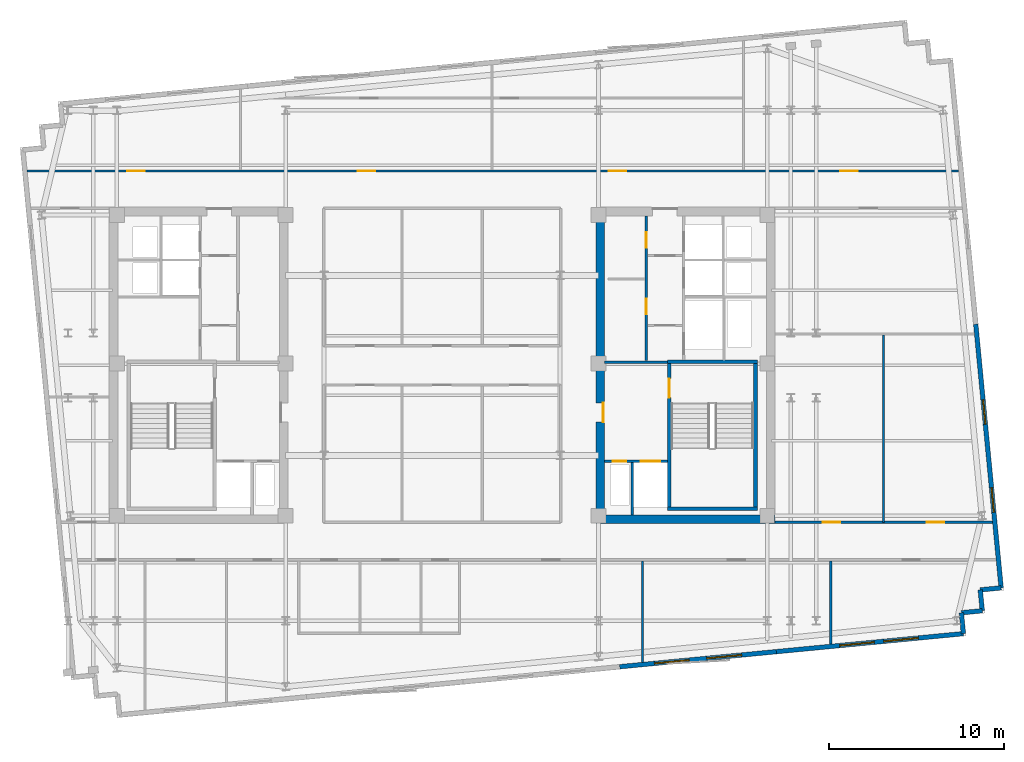
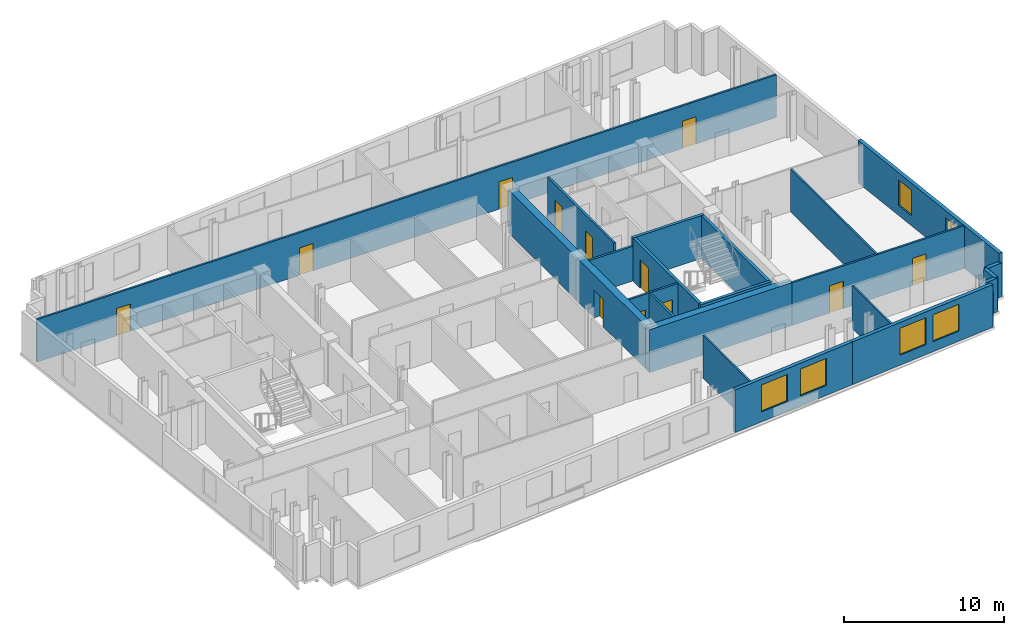
# One storey, part 5 of 9: 22 walls, 12 doors, 6 windows, 18 openings.
"""IFC4 building model written with IfcOpenShell, lengths in metres."""

from ifc_helpers import new_model, si_unit, direction, frame, frame_2d, origin, place, context, subcontext, project, spatial, rectangle, extrude, material, layer, layer_set, type_object, element, fill, save


model = new_model("IFC4")

# Units and contexts
model_context = context("Model", 3, precision=1e-05, world=origin(), true_north=direction((0.0, 1.0)))
body_context = subcontext(model_context, "Body", "Model", "MODEL_VIEW")
ifc_project = project(units=[si_unit("LENGTHUNIT", "METRE"), si_unit("AREAUNIT", "SQUARE_METRE"), si_unit("VOLUMEUNIT", "CUBIC_METRE"), si_unit("PLANEANGLEUNIT", "RADIAN"), si_unit("MASSUNIT", "GRAM", prefix="KILO")], contexts=[model_context])

# Site, building, storey
site_placement = place(None, origin())
site = spatial("IfcSite", under=ifc_project, at=site_placement, CompositionType="ELEMENT")
building_placement = place(site_placement, origin())
building = spatial("IfcBuilding", under=site, at=building_placement, Name="Velakula Bourse", CompositionType="ELEMENT")
storey_placement = place(building_placement, frame((0.0, 0.0, 275.85009765625)))
storey = spatial("IfcBuildingStorey", under=building, at=storey_placement, Name="L75", CompositionType="ELEMENT", Elevation=275.85009765625)

# Wall, opening, door
ifc_material_1 = material(Name="Concrete M50 (fck 50 MPa)", Category="concrete")
ifc_layer_1 = layer(ifc_material_1, 0.2099609375, Name="Concrete M50 (fck 50 MPa)", Category="concrete")
ifc_layer_set_1 = layer_set([ifc_layer_1], Name="Concrete M50 (fck 50 MPa)")
wall_type_1 = type_object("IfcWallType", Name="WL-CORE-210", PredefinedType="SHEAR", material=ifc_layer_set_1)
wall_1_placement = place(storey_placement, frame((12.9951171875, -8.10009765625, 0.0), z_axis=(0.0, 0.0, 1.0), x_axis=(0.0, 1.0, 0.0)))
wall_1 = element("IfcWall", 1, at=wall_1_placement, inside=storey, type_object=wall_type_1, Name="L75 Core E Stairwell Shear Wall IN", PredefinedType="SHEAR", context=body_context, shape_type="SweptSolid", body=[
    extrude(rectangle(XDim=8.2001953125, YDim=0.2099609375, at=frame_2d((4.10009765625, 0.0))), origin(), (0.0, 0.0, 1.0), 3.27001953125),
])
opening_1_placement = place(wall_1_placement, frame((6.25, 0.0, 0.0)))
opening_1 = element("IfcOpeningElement", 2, at=opening_1_placement, cuts=wall_1, Name="Opening D-STE1", PredefinedType="OPENING", context=body_context, shape_type="SweptSolid", body=[
    extrude(rectangle(XDim=1.10009765625, YDim=2.14990234375, at=frame_2d((0.550048828125, 1.074951171875))), frame((0.0, 0.114990234375, 0.0), z_axis=(0.0, -1.0, 0.0), x_axis=(1.0, 0.0, 0.0)), (0.0, 0.0, 1.0), 0.22998046875),
])
ifc_material_2 = material(Name="Galvanised painted hollow steel fire door", Category="steel")
door_type_1 = type_object("IfcDoorType", Name="DR-FD120-1100x2150", OperationType="NOTDEFINED", PredefinedType="DOOR", material=ifc_material_2)
door_1_placement = place(opening_1_placement, origin())
door_1 = element("IfcDoor", 3, at=door_1_placement, inside=storey, type_object=door_type_1, Name="L75 Stair ST-E1 Fire Door", OperationType="SINGLE_SWING_RIGHT", OverallHeight=2.14990234375, OverallWidth=1.10009765625, PredefinedType="DOOR", context=body_context, shape_type="SweptSolid", body=[
    extrude(rectangle(XDim=1.10009765625, YDim=2.14990234375, at=frame_2d((0.550048828125, 1.074951171875))), frame((0.0, 0.02490234375, 0.0), z_axis=(0.0, -1.0, 0.0), x_axis=(1.0, 0.0, 0.0)), (0.0, 0.0, 1.0), 0.050048828125),
])
fill(opening_1, door_1)

# Walls
wall_2_placement = place(storey_placement, frame((17.925048828125, -8.10009765625, 0.0), z_axis=(0.0, 0.0, 1.0), x_axis=(0.0, 1.0, 0.0)))
element("IfcWall", 4, at=wall_2_placement, inside=storey, type_object=wall_type_1, Name="L75 Core E Stairwell Shear Wall OUT", PredefinedType="SHEAR", context=body_context, shape_type="SweptSolid", body=[
    extrude(rectangle(XDim=8.2001953125, YDim=0.2099609375, at=frame_2d((4.10009765625, 0.0))), origin(), (0.0, 0.0, 1.0), 3.27001953125),
])
for number, where, z_axis, x_axis, name in (
    (5, (12.889892578125, -8.205078125, 0.0), (0.0, 0.0, 1.0), (1.0, 0.0, 0.0), "L75 Core E Stairwell Shear Wall S"),
    (6, (18.030029296875, 0.205078125, 0.0), (0.0, 0.0, 1.0), (-1.0, 0.0, 0.0), "L75 Core E Stairwell Shear Wall N"),
):
    element("IfcWall", number, at=place(storey_placement, frame(where, z_axis=z_axis, x_axis=x_axis)), inside=storey, type_object=wall_type_1, Name=name, PredefinedType="SHEAR", context=body_context, shape_type="SweptSolid", body=[
        extrude(rectangle(XDim=5.14013671875, YDim=0.2099609375, at=frame_2d((2.570068359375, 0.0))), origin(), (0.0, 0.0, 1.0), 3.27001953125),
    ])
ifc_layer_2 = layer(ifc_material_1, 0.5, Name="Concrete M50 (fck 50 MPa)", Category="concrete")
ifc_layer_set_2 = layer_set([ifc_layer_2], Name="Concrete M50 (fck 50 MPa)")
wall_type_2 = type_object("IfcWallType", Name="WL-CORE-500", PredefinedType="SHEAR", material=ifc_layer_set_2)
wall_3_placement = place(storey_placement, frame((8.800048828125, -8.800048828125, 0.0), z_axis=(0.0, 0.0, 1.0), x_axis=(1.0, 0.0, 0.0)))
element("IfcWall", 7, at=wall_3_placement, inside=storey, type_object=wall_type_2, Name="L75 Core E Shear Wall S", PredefinedType="SHEAR", context=body_context, shape_type="SweptSolid", body=[
    extrude(rectangle(XDim=10.25, YDim=0.5, at=frame_2d((5.125, 0.0))), origin(), (0.0, 0.0, 1.0), 3.27001953125),
])

# Wall, opening, door
wall_4_placement = place(storey_placement, frame((9.050048828125, -8.550048828125, 0.0), z_axis=(0.0, 0.0, 1.0), x_axis=(0.0, 1.0, 0.0)))
wall_4 = element("IfcWall", 8, at=wall_4_placement, inside=storey, type_object=wall_type_2, Name="L75 Core E Shear Wall W", PredefinedType="SHEAR", context=body_context, shape_type="SweptSolid", body=[
    extrude(rectangle(XDim=17.10009765625, YDim=0.5, at=frame_2d((8.550048828125, 0.0))), origin(), (0.0, 0.0, 1.0), 3.27001953125),
])
opening_2_placement = place(wall_4_placement, frame((5.300048828125, 0.0, 0.0)))
opening_2 = element("IfcOpeningElement", 9, at=opening_2_placement, cuts=wall_4, Name="Opening D-FLE", PredefinedType="OPENING", context=body_context, shape_type="SweptSolid", body=[
    extrude(rectangle(XDim=1.10009765625, YDim=2.080078125, at=frame_2d((0.550048828125, 1.0400390625))), frame((0.0, 0.260009765625, 0.0), z_axis=(0.0, -1.0, 0.0), x_axis=(1.0, 0.0, 0.0)), (0.0, 0.0, 1.0), 0.52001953125),
])
door_type_2 = type_object("IfcDoorType", Name="DR-FD120-1100", OperationType="NOTDEFINED", PredefinedType="DOOR", material=ifc_material_2)
door_2_placement = place(opening_2_placement, origin())
door_2 = element("IfcDoor", 10, at=door_2_placement, inside=storey, type_object=door_type_2, Name="L75 Firefighting Lobby E Corridor Fire Door", OperationType="SINGLE_SWING_RIGHT", OverallHeight=2.080078125, OverallWidth=1.10009765625, PredefinedType="DOOR", context=body_context, shape_type="SweptSolid", body=[
    extrude(rectangle(XDim=1.10009765625, YDim=2.080078125, at=frame_2d((0.550048828125, 1.0400390625))), frame((0.0, -0.15478515625, 0.0), z_axis=(0.0, -1.0, 0.0), x_axis=(1.0, 0.0, 0.0)), (0.0, 0.0, 1.0), 0.050048828125),
])
fill(opening_2, door_2)

# Wall, openings, windows
ifc_material_3 = material(Name="Buff kilned clay facing brick masonry", Category="masonry")
ifc_layer_3 = layer(ifc_material_3, 0.260009765625, Name="Buff kilned clay facing brick masonry", Category="masonry")
ifc_layer_set_3 = layer_set([ifc_layer_3], Name="Buff kilned clay facing brick masonry")
wall_type_3 = type_object("IfcWallType", Name="WL-EXT-BRK-260", PredefinedType="STANDARD", material=ifc_layer_set_3)
wall_5_placement = place(storey_placement, frame((19.119873046875, -16.375244140625, 0.0), z_axis=(0.0, 0.0, 1.0), x_axis=(-0.995396794462, -0.09583956164, 0.0)))
wall_5 = element("IfcWall", 11, at=wall_5_placement, inside=storey, type_object=wall_type_3, Name="L75 S Brick Spandrel Wall B4", PredefinedType="STANDARD", context=body_context, shape_type="SweptSolid", body=[
    extrude(rectangle(XDim=9.0, YDim=0.260009765625, at=frame_2d((4.5, 0.0))), origin(), (0.0, 0.0, 1.0), 3.25),
])
opening_3_placement = place(wall_5_placement, frame((2.0, 0.0, 0.760009765625)))
opening_3 = element("IfcOpeningElement", 12, at=opening_3_placement, cuts=wall_5, Name="Opening W-05", PredefinedType="OPENING", context=body_context, shape_type="SweptSolid", body=[
    extrude(rectangle(XDim=2.0, YDim=2.050048828125, at=frame_2d((1.0, 1.02490234375))), frame((0.0, 0.139892578125, 0.0), z_axis=(0.0, -1.0, 0.0), x_axis=(1.0, 0.0, 0.0)), (0.0, 0.0, 1.0), 0.280029296875),
])
opening_4_placement = place(wall_5_placement, frame((5.0, 0.0, 0.760009765625)))
opening_4 = element("IfcOpeningElement", 13, at=opening_4_placement, cuts=wall_5, Name="Opening W-05", PredefinedType="OPENING", context=body_context, shape_type="SweptSolid", body=[
    extrude(rectangle(XDim=2.0, YDim=2.050048828125, at=frame_2d((1.0, 1.02490234375))), frame((0.0, 0.139892578125, 0.0), z_axis=(0.0, -1.0, 0.0), x_axis=(1.0, 0.0, 0.0)), (0.0, 0.0, 1.0), 0.280029296875),
])
ifc_material_4 = material(Name="Double-glazed solar-control Low-E glass", Category="glass")
window_type_1 = type_object("IfcWindowType", Name="WIN-TWR-2000x2200", PartitioningType="DOUBLE_PANEL_VERTICAL", PredefinedType="WINDOW", material=ifc_material_4)
window_1_placement = place(opening_3_placement, origin())
window_1 = element("IfcWindow", 14, at=window_1_placement, inside=storey, type_object=window_type_1, Name="L75 Deep-Set Recessed Window 1", OverallHeight=2.050048828125, OverallWidth=2.0, PartitioningType="DOUBLE_PANEL_VERTICAL", PredefinedType="WINDOW", context=body_context, shape_type="SweptSolid", body=[
    extrude(rectangle(XDim=2.0, YDim=2.050048828125, at=frame_2d((1.0, 1.02490234375))), frame((0.0, 0.030029296875, 0.0), z_axis=(0.0, -1.0, 0.0), x_axis=(1.0, 0.0, 0.0)), (0.0, 0.0, 1.0), 0.06005859375),
])
fill(opening_3, window_1)
window_2_placement = place(opening_4_placement, origin())
window_2 = element("IfcWindow", 15, at=window_2_placement, inside=storey, type_object=window_type_1, Name="L75 Deep-Set Recessed Window 2", OverallHeight=2.050048828125, OverallWidth=2.0, PartitioningType="DOUBLE_PANEL_VERTICAL", PredefinedType="WINDOW", context=body_context, shape_type="SweptSolid", body=[
    extrude(rectangle(XDim=2.0, YDim=2.050048828125, at=frame_2d((1.0, 1.02490234375))), frame((0.0, 0.030029296875, 0.0), z_axis=(0.0, -1.0, 0.0), x_axis=(1.0, 0.0, 0.0)), (0.0, 0.0, 1.0), 0.06005859375),
])
fill(opening_4, window_2)

wall_6_placement = place(storey_placement, frame((29.820556640625, -15.344970703125, 0.0), z_axis=(0.0, 0.0, 1.0), x_axis=(-0.995396954468, -0.095837899791, 0.0)))
wall_6 = element("IfcWall", 16, at=wall_6_placement, inside=storey, type_object=wall_type_3, Name="L75 S Brick Spandrel Wall B5", PredefinedType="STANDARD", context=body_context, shape_type="SweptSolid", body=[
    extrude(rectangle(XDim=10.750244140625, YDim=0.260009765625, at=frame_2d((5.375, 0.0))), origin(), (0.0, 0.0, 1.0), 3.25),
])
opening_5_placement = place(wall_6_placement, frame((2.583251953125, 0.0, 0.760009765625)))
opening_5 = element("IfcOpeningElement", 17, at=opening_5_placement, cuts=wall_6, Name="Opening W-05", PredefinedType="OPENING", context=body_context, shape_type="SweptSolid", body=[
    extrude(rectangle(XDim=2.0, YDim=2.050048828125, at=frame_2d((1.0, 1.02490234375))), frame((0.0, 0.139892578125, 0.0), z_axis=(0.0, -1.0, 0.0), x_axis=(1.0, 0.0, 0.0)), (0.0, 0.0, 1.0), 0.280029296875),
])
opening_6_placement = place(wall_6_placement, frame((5.11669921875, 0.0, 0.760009765625)))
opening_6 = element("IfcOpeningElement", 18, at=opening_6_placement, cuts=wall_6, Name="Opening W-05", PredefinedType="OPENING", context=body_context, shape_type="SweptSolid", body=[
    extrude(rectangle(XDim=2.0, YDim=2.050048828125, at=frame_2d((1.0, 1.02490234375))), frame((0.0, 0.139892578125, 0.0), z_axis=(0.0, -1.0, 0.0), x_axis=(1.0, 0.0, 0.0)), (0.0, 0.0, 1.0), 0.280029296875),
])
window_3_placement = place(opening_5_placement, origin())
window_3 = element("IfcWindow", 19, at=window_3_placement, inside=storey, type_object=window_type_1, Name="L75 Deep-Set Recessed Window 1", OverallHeight=2.050048828125, OverallWidth=2.0, PartitioningType="DOUBLE_PANEL_VERTICAL", PredefinedType="WINDOW", context=body_context, shape_type="SweptSolid", body=[
    extrude(rectangle(XDim=2.0, YDim=2.050048828125, at=frame_2d((1.0, 1.02490234375))), frame((0.0, 0.030029296875, 0.0), z_axis=(0.0, -1.0, 0.0), x_axis=(1.0, 0.0, 0.0)), (0.0, 0.0, 1.0), 0.06005859375),
])
fill(opening_5, window_3)
window_4_placement = place(opening_6_placement, origin())
window_4 = element("IfcWindow", 20, at=window_4_placement, inside=storey, type_object=window_type_1, Name="L75 Deep-Set Recessed Window 2", OverallHeight=2.050048828125, OverallWidth=2.0, PartitioningType="DOUBLE_PANEL_VERTICAL", PredefinedType="WINDOW", context=body_context, shape_type="SweptSolid", body=[
    extrude(rectangle(XDim=2.0, YDim=2.050048828125, at=frame_2d((1.0, 1.02490234375))), frame((0.0, 0.030029296875, 0.0), z_axis=(0.0, -1.0, 0.0), x_axis=(1.0, 0.0, 0.0)), (0.0, 0.0, 1.0), 0.06005859375),
])
fill(opening_6, window_4)

wall_7_placement = place(storey_placement, frame((30.52734375, 2.354248046875, 0.0), z_axis=(0.0, 0.0, 1.0), x_axis=(0.095850890337, -0.995395703638, 0.0)))
wall_7 = element("IfcWall", 21, at=wall_7_placement, inside=storey, type_object=wall_type_3, Name="L75 E Brick End Wall W1", PredefinedType="STANDARD", context=body_context, shape_type="SweptSolid", body=[
    extrude(rectangle(XDim=15.150146484375, YDim=0.260009765625, at=frame_2d((7.5751953125, 0.0))), origin(), (0.0, 0.0, 1.0), 3.25),
])
opening_7_placement = place(wall_7_placement, frame((4.35009765625, 0.0, 0.760009765625)))
opening_7 = element("IfcOpeningElement", 22, at=opening_7_placement, cuts=wall_7, Name="Opening W-03", PredefinedType="OPENING", context=body_context, shape_type="SweptSolid", body=[
    extrude(rectangle(XDim=1.39990234375, YDim=1.949951171875, at=frame_2d((0.699951171875, 0.97509765625))), frame((0.0, 0.139892578125, 0.0), z_axis=(0.0, -1.0, 0.0), x_axis=(1.0, 0.0, 0.0)), (0.0, 0.0, 1.0), 0.280029296875),
])
opening_8_placement = place(wall_7_placement, frame((9.39990234375, 0.0, 0.760009765625)))
opening_8 = element("IfcOpeningElement", 23, at=opening_8_placement, cuts=wall_7, Name="Opening W-03", PredefinedType="OPENING", context=body_context, shape_type="SweptSolid", body=[
    extrude(rectangle(XDim=1.39990234375, YDim=1.949951171875, at=frame_2d((0.699951171875, 0.97509765625))), frame((0.0, 0.139892578125, 0.0), z_axis=(0.0, -1.0, 0.0), x_axis=(1.0, 0.0, 0.0)), (0.0, 0.0, 1.0), 0.280029296875),
])
window_type_2 = type_object("IfcWindowType", Name="WIN-TWR-1400x2100", PartitioningType="SINGLE_PANEL", PredefinedType="WINDOW", material=ifc_material_4)
window_5_placement = place(opening_7_placement, origin())
window_5 = element("IfcWindow", 24, at=window_5_placement, inside=storey, type_object=window_type_2, Name="L75 Deep-Set Recessed Window 1", OverallHeight=1.949951171875, OverallWidth=1.39990234375, PartitioningType="SINGLE_PANEL", PredefinedType="WINDOW", context=body_context, shape_type="SweptSolid", body=[
    extrude(rectangle(XDim=1.39990234375, YDim=1.949951171875, at=frame_2d((0.699951171875, 0.97509765625))), frame((0.0, 0.030029296875, 0.0), z_axis=(0.0, -1.0, 0.0), x_axis=(1.0, 0.0, 0.0)), (0.0, 0.0, 1.0), 0.06005859375),
])
fill(opening_7, window_5)
window_6_placement = place(opening_8_placement, origin())
window_6 = element("IfcWindow", 25, at=window_6_placement, inside=storey, type_object=window_type_2, Name="L75 Deep-Set Recessed Window 2", OverallHeight=1.949951171875, OverallWidth=1.39990234375, PartitioningType="SINGLE_PANEL", PredefinedType="WINDOW", context=body_context, shape_type="SweptSolid", body=[
    extrude(rectangle(XDim=1.39990234375, YDim=1.949951171875, at=frame_2d((0.699951171875, 0.97509765625))), frame((0.0, 0.030029296875, 0.0), z_axis=(0.0, -1.0, 0.0), x_axis=(1.0, 0.0, 0.0)), (0.0, 0.0, 1.0), 0.06005859375),
])
fill(opening_8, window_6)

# Walls
for number, where, z_axis, x_axis, name in (
    (26, (29.820556640625, -15.344970703125, 0.0), (0.0, 0.0, 1.0), (-0.096018626938, 0.995379537303, 0.0), "L75 Serrated Corner Brick Wall SE-1"),
    (27, (29.705322265625, -14.150390625, 0.0), (0.0, 0.0, 1.0), (0.995398960025, 0.095817067274, 0.0), "L75 Serrated Corner Brick Wall SE-2"),
):
    element("IfcWall", number, at=place(storey_placement, frame(where, z_axis=z_axis, x_axis=x_axis)), inside=storey, type_object=wall_type_3, Name=name, PredefinedType="STANDARD", context=body_context, shape_type="SweptSolid", body=[
        extrude(rectangle(XDim=1.2001953125, YDim=0.260009765625, at=frame_2d((0.60009765625, 0.0))), origin(), (0.0, 0.0, 1.0), 2.56494140625),
    ])
wall_8_placement = place(storey_placement, frame((30.89990234375, -14.035400390625, 0.0), z_axis=(0.0, 0.0, 1.0), x_axis=(-0.095836473879, 0.995397091755, 0.0)))
element("IfcWall", 28, at=wall_8_placement, inside=storey, type_object=wall_type_3, Name="L75 Serrated Corner Brick Wall SE-3", PredefinedType="STANDARD", context=body_context, shape_type="SweptSolid", body=[
    extrude(rectangle(XDim=1.199951171875, YDim=0.260009765625, at=frame_2d((0.60009765625, 0.0))), origin(), (0.0, 0.0, 1.0), 2.56494140625),
])
wall_9_placement = place(storey_placement, frame((30.784912109375, -12.841064453125, 0.0), z_axis=(0.0, 0.0, 1.0), x_axis=(0.995398960025, 0.095817067274, 0.0)))
element("IfcWall", 29, at=wall_9_placement, inside=storey, type_object=wall_type_3, Name="L75 Serrated Corner Brick Wall SE-4", PredefinedType="STANDARD", context=body_context, shape_type="SweptSolid", body=[
    extrude(rectangle(XDim=1.2001953125, YDim=0.260009765625, at=frame_2d((0.60009765625, 0.0))), origin(), (0.0, 0.0, 1.0), 2.56494140625),
])
ifc_material_5 = material(Name="Fire-rated double-layer gypsum drywall partition", Category="gypsum")
ifc_layer_4 = layer(ifc_material_5, 0.1201171875, Name="Fire-rated double-layer gypsum drywall partition", Category="gypsum")
ifc_layer_set_4 = layer_set([ifc_layer_4], Name="Fire-rated double-layer gypsum drywall partition")
wall_type_4 = type_object("IfcWallType", Name="WL-PART-120", PredefinedType="STANDARD", material=ifc_layer_set_4)
wall_10_placement = place(storey_placement, frame((11.4619140625, -16.982177734375, 0.0), z_axis=(0.0, 0.0, 1.0), x_axis=(0.0, 1.0, 0.0)))
element("IfcWall", 30, at=wall_10_placement, inside=storey, type_object=wall_type_4, Name="L75 Interior Partition WL-INT-L75-SR-D7", PredefinedType="STANDARD", context=body_context, shape_type="SweptSolid", body=[
    extrude(rectangle(XDim=5.792236328125, YDim=0.1201171875, at=frame_2d((2.89599609375, 0.0))), origin(), (0.0, 0.0, 1.0), 3.25),
])
wall_11_placement = place(storey_placement, frame((22.23291015625, -15.94482421875, 0.0), z_axis=(0.0, 0.0, 1.0), x_axis=(0.0, 1.0, 0.0)))
element("IfcWall", 31, at=wall_11_placement, inside=storey, type_object=wall_type_4, Name="L75 Interior Partition WL-INT-L75-SR-D8", PredefinedType="STANDARD", context=body_context, shape_type="SweptSolid", body=[
    extrude(rectangle(XDim=4.7548828125, YDim=0.1201171875, at=frame_2d((2.37744140625, 0.0))), origin(), (0.0, 0.0, 1.0), 3.25),
])
wall_12_placement = place(storey_placement, frame((25.239013671875, -8.97998046875, 0.0), z_axis=(0.0, 0.0, 1.0), x_axis=(0.0, 1.0, 0.0)))
element("IfcWall", 32, at=wall_12_placement, inside=storey, type_object=wall_type_4, Name="L75 Interior Partition WL-INT-L75-E-VS", PredefinedType="STANDARD", context=body_context, shape_type="SweptSolid", body=[
    extrude(rectangle(XDim=10.719970703125, YDim=0.1201171875, at=frame_2d((5.35986328125, 0.0))), origin(), (0.0, 0.0, 1.0), 3.25),
])

# Wall, openings, doors
ifc_layer_5 = layer(ifc_material_5, 0.139892578125, Name="Fire-rated double-layer gypsum drywall partition", Category="gypsum")
ifc_layer_set_5 = layer_set([ifc_layer_5], Name="Fire-rated double-layer gypsum drywall partition")
wall_type_5 = type_object("IfcWallType", Name="WL-PART-140", PredefinedType="STANDARD", material=ifc_layer_set_5)
wall_13_placement = place(storey_placement, frame((-23.732666015625, 11.1201171875, 0.0), z_axis=(0.0, 0.0, 1.0), x_axis=(1.0, 0.0, 0.0)))
wall_13 = element("IfcWall", 33, at=wall_13_placement, inside=storey, type_object=wall_type_5, Name="L75 Interior Partition WL-INT-L75-N-CORR", PredefinedType="STANDARD", context=body_context, shape_type="SweptSolid", body=[
    extrude(rectangle(XDim=53.285400390625, YDim=0.139892578125, at=frame_2d((26.642578125, 0.0))), origin(), (0.0, 0.0, 1.0), 3.25),
])
opening_9_placement = place(wall_13_placement, frame((5.730712890625, 0.0, 0.0)))
opening_9 = element("IfcOpeningElement", 34, at=opening_9_placement, cuts=wall_13, Name="Opening D-OF1", PredefinedType="OPENING", context=body_context, shape_type="SweptSolid", body=[
    extrude(rectangle(XDim=1.0, YDim=2.080078125, at=frame_2d((0.5, 1.0400390625))), frame((0.0, 0.079833984375, 0.0), z_axis=(0.0, -1.0, 0.0), x_axis=(1.0, 0.0, 0.0)), (0.0, 0.0, 1.0), 0.159912109375),
])
opening_10_placement = place(wall_13_placement, frame((18.899658203125, 0.0, 0.0)))
opening_10 = element("IfcOpeningElement", 35, at=opening_10_placement, cuts=wall_13, Name="Opening D-OF1", PredefinedType="OPENING", context=body_context, shape_type="SweptSolid", body=[
    extrude(rectangle(XDim=1.0, YDim=2.080078125, at=frame_2d((0.5, 1.0400390625))), frame((0.0, 0.079833984375, 0.0), z_axis=(0.0, -1.0, 0.0), x_axis=(1.0, 0.0, 0.0)), (0.0, 0.0, 1.0), 0.159912109375),
])
opening_11_placement = place(wall_13_placement, frame((33.279052734375, 0.0, 0.0)))
opening_11 = element("IfcOpeningElement", 36, at=opening_11_placement, cuts=wall_13, Name="Opening D-OF1", PredefinedType="OPENING", context=body_context, shape_type="SweptSolid", body=[
    extrude(rectangle(XDim=1.0, YDim=2.080078125, at=frame_2d((0.5, 1.0400390625))), frame((0.0, 0.079833984375, 0.0), z_axis=(0.0, -1.0, 0.0), x_axis=(1.0, 0.0, 0.0)), (0.0, 0.0, 1.0), 0.159912109375),
])
opening_12_placement = place(wall_13_placement, frame((46.5009765625, 0.0, 0.0)))
opening_12 = element("IfcOpeningElement", 37, at=opening_12_placement, cuts=wall_13, Name="Opening D-OF1", PredefinedType="OPENING", context=body_context, shape_type="SweptSolid", body=[
    extrude(rectangle(XDim=1.0, YDim=2.080078125, at=frame_2d((0.5, 1.0400390625))), frame((0.0, 0.079833984375, 0.0), z_axis=(0.0, -1.0, 0.0), x_axis=(1.0, 0.0, 0.0)), (0.0, 0.0, 1.0), 0.159912109375),
])
ifc_material_6 = material(Name="Fire-rated hardwood flush architectural door", Category="wood")
door_type_3 = type_object("IfcDoorType", Name="DR-OFF-1000", OperationType="NOTDEFINED", PredefinedType="DOOR", material=ifc_material_6)
door_3_placement = place(opening_9_placement, origin())
door_3 = element("IfcDoor", 38, at=door_3_placement, inside=storey, type_object=door_type_3, Name="L75 Cybersecurity Operations Workspace Door", OperationType="SINGLE_SWING_LEFT", OverallHeight=2.080078125, OverallWidth=1.0, PredefinedType="DOOR", context=body_context, shape_type="SweptSolid", body=[
    extrude(rectangle(XDim=1.0, YDim=2.080078125, at=frame_2d((0.5, 1.0400390625))), frame((0.0, 0.02490234375, 0.0), z_axis=(0.0, -1.0, 0.0), x_axis=(1.0, 0.0, 0.0)), (0.0, 0.0, 1.0), 0.050048828125),
])
fill(opening_9, door_3)
door_4_placement = place(opening_10_placement, origin())
door_4 = element("IfcDoor", 39, at=door_4_placement, inside=storey, type_object=door_type_3, Name="L75 Listing Committee Chamber Door", OperationType="SINGLE_SWING_RIGHT", OverallHeight=2.080078125, OverallWidth=1.0, PredefinedType="DOOR", context=body_context, shape_type="SweptSolid", body=[
    extrude(rectangle(XDim=1.0, YDim=2.080078125, at=frame_2d((0.5, 1.0400390625))), frame((0.0, 0.02490234375, 0.0), z_axis=(0.0, -1.0, 0.0), x_axis=(1.0, 0.0, 0.0)), (0.0, 0.0, 1.0), 0.050048828125),
])
fill(opening_10, door_4)
door_5_placement = place(opening_11_placement, origin())
door_5 = element("IfcDoor", 40, at=door_5_placement, inside=storey, type_object=door_type_3, Name="L75 Training Classroom Door", OperationType="SINGLE_SWING_RIGHT", OverallHeight=2.080078125, OverallWidth=1.0, PredefinedType="DOOR", context=body_context, shape_type="SweptSolid", body=[
    extrude(rectangle(XDim=1.0, YDim=2.080078125, at=frame_2d((0.5, 1.0400390625))), frame((0.0, 0.02490234375, 0.0), z_axis=(0.0, -1.0, 0.0), x_axis=(1.0, 0.0, 0.0)), (0.0, 0.0, 1.0), 0.050048828125),
])
fill(opening_11, door_5)
door_6_placement = place(opening_12_placement, origin())
door_6 = element("IfcDoor", 41, at=door_6_placement, inside=storey, type_object=door_type_3, Name="L75 Sky-Garden Veranda Lounge Door", OperationType="SINGLE_SWING_RIGHT", OverallHeight=2.080078125, OverallWidth=1.0, PredefinedType="DOOR", context=body_context, shape_type="SweptSolid", body=[
    extrude(rectangle(XDim=1.0, YDim=2.080078125, at=frame_2d((0.5, 1.0400390625))), frame((0.0, 0.02490234375, 0.0), z_axis=(0.0, -1.0, 0.0), x_axis=(1.0, 0.0, 0.0)), (0.0, 0.0, 1.0), 0.050048828125),
])
fill(opening_12, door_6)

wall_14_placement = place(storey_placement, frame((19.050048828125, -8.97998046875, 0.0), z_axis=(0.0, 0.0, 1.0), x_axis=(1.0, 0.0, 0.0)))
wall_14 = element("IfcWall", 42, at=wall_14_placement, inside=storey, type_object=wall_type_5, Name="L75 Interior Partition WL-INT-L75-E-SC", PredefinedType="STANDARD", context=body_context, shape_type="SweptSolid", body=[
    extrude(rectangle(XDim=12.43798828125, YDim=0.139892578125, at=frame_2d((6.218994140625, 0.0))), origin(), (0.0, 0.0, 1.0), 3.25),
])
opening_13_placement = place(wall_14_placement, frame((2.724609375, 0.0, 0.0)))
opening_13 = element("IfcOpeningElement", 43, at=opening_13_placement, cuts=wall_14, Name="Opening D-OF1", PredefinedType="OPENING", context=body_context, shape_type="SweptSolid", body=[
    extrude(rectangle(XDim=1.0, YDim=2.080078125, at=frame_2d((0.5, 1.0400390625))), frame((0.0, 0.079833984375, 0.0), z_axis=(0.0, -1.0, 0.0), x_axis=(1.0, 0.0, 0.0)), (0.0, 0.0, 1.0), 0.159912109375),
])
opening_14_placement = place(wall_14_placement, frame((8.68359375, 0.0, 0.0)))
opening_14 = element("IfcOpeningElement", 44, at=opening_14_placement, cuts=wall_14, Name="Opening D-OF1", PredefinedType="OPENING", context=body_context, shape_type="SweptSolid", body=[
    extrude(rectangle(XDim=1.0, YDim=2.080078125, at=frame_2d((0.5, 1.0400390625))), frame((0.0, 0.079833984375, 0.0), z_axis=(0.0, -1.0, 0.0), x_axis=(1.0, 0.0, 0.0)), (0.0, 0.0, 1.0), 0.159912109375),
])
door_7_placement = place(opening_13_placement, origin())
door_7 = element("IfcDoor", 45, at=door_7_placement, inside=storey, type_object=door_type_3, Name="L75 Green-Bond Carbon Exchange Workspace Door", OperationType="SINGLE_SWING_LEFT", OverallHeight=2.080078125, OverallWidth=1.0, PredefinedType="DOOR", context=body_context, shape_type="SweptSolid", body=[
    extrude(rectangle(XDim=1.0, YDim=2.080078125, at=frame_2d((0.5, 1.0400390625))), frame((0.0, 0.02490234375, 0.0), z_axis=(0.0, -1.0, 0.0), x_axis=(1.0, 0.0, 0.0)), (0.0, 0.0, 1.0), 0.050048828125),
])
fill(opening_13, door_7)
door_8_placement = place(opening_14_placement, origin())
door_8 = element("IfcDoor", 46, at=door_8_placement, inside=storey, type_object=door_type_3, Name="L75 General Counsel Office Door", OperationType="SINGLE_SWING_RIGHT", OverallHeight=2.080078125, OverallWidth=1.0, PredefinedType="DOOR", context=body_context, shape_type="SweptSolid", body=[
    extrude(rectangle(XDim=1.0, YDim=2.080078125, at=frame_2d((0.5, 1.0400390625))), frame((0.0, 0.02490234375, 0.0), z_axis=(0.0, -1.0, 0.0), x_axis=(1.0, 0.0, 0.0)), (0.0, 0.0, 1.0), 0.050048828125),
])
fill(opening_14, door_8)

ifc_material_7 = material(Name="Autoclaved aerated concrete blockwork masonry", Category="masonry")
ifc_layer_6 = layer(ifc_material_7, 0.14990234375, Name="Autoclaved aerated concrete blockwork masonry", Category="masonry")
ifc_layer_set_6 = layer_set([ifc_layer_6], Name="Autoclaved aerated concrete blockwork masonry")
wall_type_6 = type_object("IfcWallType", Name="WL-SHAFT-150", PredefinedType="STANDARD", material=ifc_layer_set_6)
wall_15_placement = place(storey_placement, frame((9.300048828125, -5.47509765625, 0.0), z_axis=(0.0, 0.0, 1.0), x_axis=(1.0, 0.0, 0.0)))
wall_15 = element("IfcWall", 47, at=wall_15_placement, inside=storey, type_object=wall_type_6, Name="L75 Interior Partition WL-CRE-L75-FFL-N", PredefinedType="STANDARD", context=body_context, shape_type="SweptSolid", body=[
    extrude(rectangle(XDim=3.594970703125, YDim=0.14990234375, at=frame_2d((1.79736328125, 0.0))), origin(), (0.0, 0.0, 1.0), 3.25),
])
opening_15_placement = place(wall_15_placement, frame((2.074951171875, 0.0, 0.0)))
opening_15 = element("IfcOpeningElement", 48, at=opening_15_placement, cuts=wall_15, Name="Opening LD-FFL-2", PredefinedType="OPENING", context=body_context, shape_type="SweptSolid", body=[
    extrude(rectangle(XDim=1.10009765625, YDim=2.14990234375, at=frame_2d((0.550048828125, 1.074951171875))), frame((0.0, 0.0849609375, 0.0), z_axis=(0.0, -1.0, 0.0), x_axis=(1.0, 0.0, 0.0)), (0.0, 0.0, 1.0), 0.169921875),
])
opening_16_placement = place(wall_15_placement, frame((0.47509765625, 0.0, 0.0)))
opening_16 = element("IfcOpeningElement", 49, at=opening_16_placement, cuts=wall_15, Name="Opening D-RS1", PredefinedType="OPENING", context=body_context, shape_type="SweptSolid", body=[
    extrude(rectangle(XDim=0.75, YDim=2.050048828125, at=frame_2d((0.375, 1.02490234375))), frame((0.0, 0.0849609375, 0.0), z_axis=(0.0, -1.0, 0.0), x_axis=(1.0, 0.0, 0.0)), (0.0, 0.0, 1.0), 0.169921875),
])
door_type_4 = type_object("IfcDoorType", Name="DR-RISER-800", OperationType="NOTDEFINED", PredefinedType="DOOR", material=ifc_material_2)
door_9_placement = place(opening_16_placement, origin())
door_9 = element("IfcDoor", 50, at=door_9_placement, inside=storey, type_object=door_type_4, Name="L75 Fire Riser Access Door", OperationType="SINGLE_SWING_LEFT", OverallHeight=2.050048828125, OverallWidth=0.75, PredefinedType="DOOR", context=body_context, shape_type="SweptSolid", body=[
    extrude(rectangle(XDim=0.75, YDim=2.050048828125, at=frame_2d((0.375, 1.02490234375))), frame((0.0, 0.02490234375, 0.0), z_axis=(0.0, -1.0, 0.0), x_axis=(1.0, 0.0, 0.0)), (0.0, 0.0, 1.0), 0.050048828125),
])
fill(opening_16, door_9)
ifc_material_8 = material(Name="Brushed grade 316 stainless steel", Category="steel")
door_type_5 = type_object("IfcDoorType", Name="DR-SLIDE-FFL-1100", OperationType="DOUBLE_DOOR_SLIDING", PredefinedType="DOOR", material=ifc_material_8)
door_10_placement = place(opening_15_placement, origin())
door_10 = element("IfcDoor", 51, at=door_10_placement, inside=storey, type_object=door_type_5, Name="L75 Firefighting Lift FFL-2 Sliding Landing Door", OperationType="DOUBLE_DOOR_SLIDING", OverallHeight=2.14990234375, OverallWidth=1.10009765625, PredefinedType="DOOR", context=body_context, shape_type="SweptSolid", body=[
    extrude(rectangle(XDim=1.10009765625, YDim=2.14990234375, at=frame_2d((0.550048828125, 1.074951171875))), frame((0.0, 0.02490234375, 0.0), z_axis=(0.0, -1.0, 0.0), x_axis=(1.0, 0.0, 0.0)), (0.0, 0.0, 1.0), 0.050048828125),
])
fill(opening_15, door_10)

# Walls
wall_16_placement = place(storey_placement, frame((10.875, -8.550048828125, 0.0), z_axis=(0.0, 0.0, 1.0), x_axis=(0.0, 1.0, 0.0)))
element("IfcWall", 52, at=wall_16_placement, inside=storey, type_object=wall_type_6, Name="L75 Interior Partition WL-CRE-L75-FR-DIV", PredefinedType="STANDARD", context=body_context, shape_type="SweptSolid", body=[
    extrude(rectangle(XDim=3.0, YDim=0.14990234375, at=frame_2d((1.5, 0.0))), origin(), (0.0, 0.0, 1.0), 3.25),
])
wall_17_placement = place(storey_placement, frame((9.300048828125, 0.18994140625, 0.0), z_axis=(0.0, 0.0, 1.0), x_axis=(1.0, 0.0, 0.0)))
element("IfcWall", 53, at=wall_17_placement, inside=storey, type_object=wall_type_6, Name="L75 Interior Partition WL-CRE-L75-FF-TOP", PredefinedType="STANDARD", context=body_context, shape_type="SweptSolid", body=[
    extrude(rectangle(XDim=3.58984375, YDim=0.14990234375, at=frame_2d((1.794921875, 0.0))), origin(), (0.0, 0.0, 1.0), 2.64501953125),
])

# Wall, openings, doors
wall_18_placement = place(storey_placement, frame((11.675048828125, 0.27001953125, 0.0), z_axis=(0.0, 0.0, 1.0), x_axis=(0.0, 1.0, 0.0)))
wall_18 = element("IfcWall", 54, at=wall_18_placement, inside=storey, type_object=wall_type_6, Name="L75 Interior Partition WL-CRE-L75-BANK-F", PredefinedType="STANDARD", context=body_context, shape_type="SweptSolid", body=[
    extrude(rectangle(XDim=8.280029296875, YDim=0.14990234375, at=frame_2d((4.14013671875, 0.0))), origin(), (0.0, 0.0, 1.0), 3.25),
])
opening_17_placement = place(wall_18_placement, frame((2.64990234375, 0.0, 0.0)))
opening_17 = element("IfcOpeningElement", 55, at=opening_17_placement, cuts=wall_18, Name="Opening D-RC2", PredefinedType="OPENING", context=body_context, shape_type="SweptSolid", body=[
    extrude(rectangle(XDim=0.89990234375, YDim=2.050048828125, at=frame_2d((0.449951171875, 1.02490234375))), frame((0.0, 0.0849609375, 0.0), z_axis=(0.0, -1.0, 0.0), x_axis=(1.0, 0.0, 0.0)), (0.0, 0.0, 1.0), 0.169921875),
])
opening_18_placement = place(wall_18_placement, frame((6.449951171875, 0.0, 0.0)))
opening_18 = element("IfcOpeningElement", 56, at=opening_18_placement, cuts=wall_18, Name="Opening D-RC2", PredefinedType="OPENING", context=body_context, shape_type="SweptSolid", body=[
    extrude(rectangle(XDim=0.89990234375, YDim=2.050048828125, at=frame_2d((0.449951171875, 1.02490234375))), frame((0.0, 0.0849609375, 0.0), z_axis=(0.0, -1.0, 0.0), x_axis=(1.0, 0.0, 0.0)), (0.0, 0.0, 1.0), 0.169921875),
])
door_type_6 = type_object("IfcDoorType", Name="DR-FD60-900", OperationType="NOTDEFINED", PredefinedType="DOOR", material=ifc_material_6)
door_11_placement = place(opening_17_placement, origin())
door_11 = element("IfcDoor", 57, at=door_11_placement, inside=storey, type_object=door_type_6, Name="L75 Reclaimed Vault Room Door", OperationType="SINGLE_SWING_LEFT", OverallHeight=2.050048828125, OverallWidth=0.89990234375, PredefinedType="DOOR", context=body_context, shape_type="SweptSolid", body=[
    extrude(rectangle(XDim=0.89990234375, YDim=2.050048828125, at=frame_2d((0.449951171875, 1.02490234375))), frame((0.0, 0.02490234375, 0.0), z_axis=(0.0, -1.0, 0.0), x_axis=(1.0, 0.0, 0.0)), (0.0, 0.0, 1.0), 0.050048828125),
])
fill(opening_17, door_11)
door_12_placement = place(opening_18_placement, origin())
door_12 = element("IfcDoor", 58, at=door_12_placement, inside=storey, type_object=door_type_6, Name="L75 Reclaimed Depository Store Door", OperationType="SINGLE_SWING_RIGHT", OverallHeight=2.050048828125, OverallWidth=0.89990234375, PredefinedType="DOOR", context=body_context, shape_type="SweptSolid", body=[
    extrude(rectangle(XDim=0.89990234375, YDim=2.050048828125, at=frame_2d((0.449951171875, 1.02490234375))), frame((0.0, 0.02490234375, 0.0), z_axis=(0.0, -1.0, 0.0), x_axis=(1.0, 0.0, 0.0)), (0.0, 0.0, 1.0), 0.050048828125),
])
fill(opening_18, door_12)

save(model, "model.ifc")
